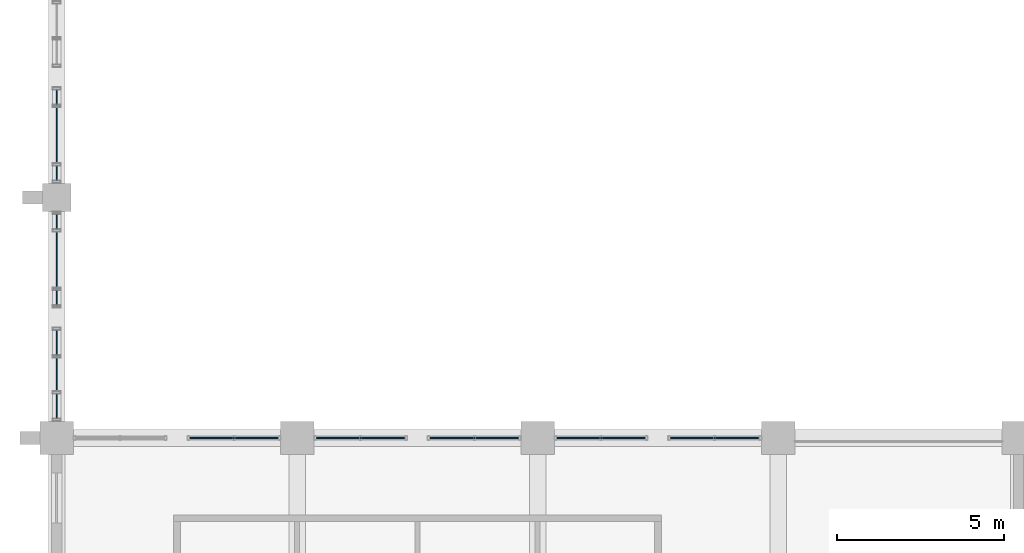
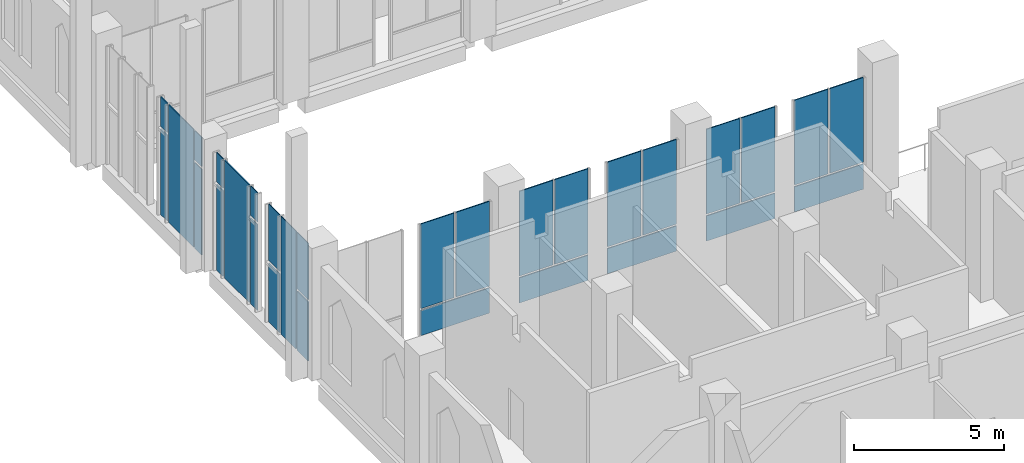
# One storey, part 60 of 83: 30 plates, 8 elements without a shape of their own.
"""IFC4 building model written with IfcOpenShell, lengths in metres."""

from ifc_helpers import new_model, si_unit, direction, frame, origin, origin_2d, place, context, subcontext, project, spatial, rectangle, extrude, material, layer, layer_set, type_object, element, aggregate, save


model = new_model("IFC4")

# Units and contexts
model_context = context("Model", 3, precision=1e-05, world=origin(), true_north=direction((0.0, 1.0)))
body_context = subcontext(model_context, "Body", "Model", "MODEL_VIEW")
ifc_project = project(units=[si_unit("LENGTHUNIT", "METRE"), si_unit("AREAUNIT", "SQUARE_METRE"), si_unit("VOLUMEUNIT", "CUBIC_METRE"), si_unit("PLANEANGLEUNIT", "RADIAN"), si_unit("MASSUNIT", "GRAM", prefix="KILO")], contexts=[model_context])

# Site, building, storey
site_placement = place(None, origin())
site = spatial("IfcSite", under=ifc_project, at=site_placement, CompositionType="ELEMENT")
building_placement = place(site_placement, origin())
building = spatial("IfcBuilding", under=site, at=building_placement, Name="Silangan Lancet Faculty of Sciences", CompositionType="ELEMENT")
storey_placement = place(building_placement, frame((0.0, 0.0, 11.39990234375)))
storey = spatial("IfcBuildingStorey", under=building, at=storey_placement, Name="L02", CompositionType="ELEMENT", Elevation=11.39990234375)

# Curtain wall, plates
ifc_material_1 = material(Name="Aluminium framed curtain wall with insulated glass", Category="aluminium")
curtain_wall_type_1 = type_object("IfcCurtainWallType", Name="CW3 West stepped lancet window", PredefinedType="NOTDEFINED", material=ifc_material_1)
curtain_wall_1_placement = place(storey_placement, origin())
curtain_wall_1 = element("IfcCurtainWall", 1, at=curtain_wall_1_placement, inside=storey, type_object=curtain_wall_type_1, Name="CW3 West window L02 bay 1", PredefinedType="NOTDEFINED")
ifc_material_2 = material(Name="Insulated glass unit 8+16+8 low-emissivity", Category="glass")
ifc_layer_1 = layer(ifc_material_2, 0.031982421875)
ifc_layer_set_1 = layer_set([ifc_layer_1], Name="Insulated glass unit 8+16+8 low-emissivity")
plate_type_1 = type_object("IfcPlateType", Name="CP1 Panel vision glass 32", PredefinedType="CURTAIN_PANEL", material=ifc_layer_set_1)
plate_1_placement = place(storey_placement, frame((0.0, 22.550048828125, 2.5), z_axis=(0.0, 0.0, 1.0), x_axis=(0.0, 1.0, 0.0)))
plate_1 = element("IfcPlate", 2, at=plate_1_placement, type_object=plate_type_1, Name="CW3 West window L02 bay 1 panel 3", PredefinedType="CURTAIN_PANEL", context=body_context, shape_type="SweptSolid", body=[
    extrude(rectangle(XDim=0.75, YDim=0.031982421875, at=origin_2d()), origin(), (0.0, 0.0, 1.0), 2.300048828125),
])
plate_2_placement = place(storey_placement, frame((0.0, 24.449951171875, 2.5), z_axis=(0.0, 0.0, 1.0), x_axis=(0.0, 1.0, 0.0)))
plate_2 = element("IfcPlate", 3, at=plate_2_placement, type_object=plate_type_1, Name="CW3 West window L02 bay 1 panel 4", PredefinedType="CURTAIN_PANEL", context=body_context, shape_type="SweptSolid", body=[
    extrude(rectangle(XDim=0.75, YDim=0.031982421875, at=origin_2d()), origin(), (0.0, 0.0, 1.0), 2.300048828125),
])

ifc_material_3 = material(Name="Aluminium framed curtain wall with insulated glass", Category="aluminium")
curtain_wall_type_2 = type_object("IfcCurtainWallType", Name="CW6 West window middle bays", PredefinedType="NOTDEFINED", material=ifc_material_3)
curtain_wall_2_placement = place(storey_placement, origin())
curtain_wall_2 = element("IfcCurtainWall", 4, at=curtain_wall_2_placement, inside=storey, type_object=curtain_wall_type_2, Name="CW6 West window L02 bay 2", PredefinedType="NOTDEFINED")
plate_3_placement = place(storey_placement, frame((0.0, 25.800048828125, 3.60009765625), z_axis=(0.0, 0.0, 1.0), x_axis=(0.0, 1.0, 0.0)))
plate_3 = element("IfcPlate", 5, at=plate_3_placement, type_object=plate_type_1, Name="CW6 West window L02 bay 2 panel 3", PredefinedType="CURTAIN_PANEL", context=body_context, shape_type="SweptSolid", body=[
    extrude(rectangle(XDim=0.449951171875, YDim=0.031982421875, at=origin_2d()), origin(), (0.0, 0.0, 1.0), 1.199951171875),
])
plate_4_placement = place(storey_placement, frame((0.0, 28.074951171875, 3.60009765625), z_axis=(0.0, 0.0, 1.0), x_axis=(0.0, 1.0, 0.0)))
plate_4 = element("IfcPlate", 6, at=plate_4_placement, type_object=plate_type_1, Name="CW6 West window L02 bay 2 panel 4", PredefinedType="CURTAIN_PANEL", context=body_context, shape_type="SweptSolid", body=[
    extrude(rectangle(XDim=0.449951171875, YDim=0.031982421875, at=origin_2d()), origin(), (0.0, 0.0, 1.0), 1.199951171875),
])

curtain_wall_3_placement = place(storey_placement, origin())
curtain_wall_3 = element("IfcCurtainWall", 7, at=curtain_wall_3_placement, inside=storey, type_object=curtain_wall_type_2, Name="CW6 West window L02 bay 3", PredefinedType="NOTDEFINED")
plate_5_placement = place(storey_placement, frame((0.0, 29.52490234375, 3.60009765625), z_axis=(0.0, 0.0, 1.0), x_axis=(0.0, 1.0, 0.0)))
plate_5 = element("IfcPlate", 8, at=plate_5_placement, type_object=plate_type_1, Name="CW6 West window L02 bay 3 panel 3", PredefinedType="CURTAIN_PANEL", context=body_context, shape_type="SweptSolid", body=[
    extrude(rectangle(XDim=0.449951171875, YDim=0.031982421875, at=origin_2d()), origin(), (0.0, 0.0, 1.0), 1.199951171875),
])
plate_6_placement = place(storey_placement, frame((0.0, 31.7998046875, 3.60009765625), z_axis=(0.0, 0.0, 1.0), x_axis=(0.0, 1.0, 0.0)))
plate_6 = element("IfcPlate", 9, at=plate_6_placement, type_object=plate_type_1, Name="CW6 West window L02 bay 3 panel 4", PredefinedType="CURTAIN_PANEL", context=body_context, shape_type="SweptSolid", body=[
    extrude(rectangle(XDim=0.449951171875, YDim=0.031982421875, at=origin_2d()), origin(), (0.0, 0.0, 1.0), 1.199951171875),
])

# Plate
ifc_material_4 = material(Name="Laminated insulated glass unit 10.76+14+8", Category="glass")
ifc_layer_2 = layer(ifc_material_4, 0.035888671875)
ifc_layer_set_2 = layer_set([ifc_layer_2], Name="Laminated insulated glass unit 10.76+14+8")
plate_type_2 = type_object("IfcPlateType", Name="CP2 Panel laminated glass 36", PredefinedType="CURTAIN_PANEL", material=ifc_layer_set_2)
plate_7_placement = place(storey_placement, frame((0.0, 22.550048828125, 0.000244140625), z_axis=(0.0, 0.0, 1.0), x_axis=(0.0, 1.0, 0.0)))
plate_7 = element("IfcPlate", 10, at=plate_7_placement, type_object=plate_type_2, Name="CW3 West window L02 bay 1 panel 1", PredefinedType="CURTAIN_PANEL", context=body_context, shape_type="SweptSolid", body=[
    extrude(rectangle(XDim=0.75, YDim=0.035888671875, at=origin_2d()), origin(), (0.0, 0.0, 1.0), 2.39990234375),
])

plate_8_placement = place(storey_placement, frame((0.0, 24.449951171875, 0.000244140625), z_axis=(0.0, 0.0, 1.0), x_axis=(0.0, 1.0, 0.0)))
plate_8 = element("IfcPlate", 11, at=plate_8_placement, type_object=plate_type_2, Name="CW3 West window L02 bay 1 panel 2", PredefinedType="CURTAIN_PANEL", context=body_context, shape_type="SweptSolid", body=[
    extrude(rectangle(XDim=0.75, YDim=0.035888671875, at=origin_2d()), origin(), (0.0, 0.0, 1.0), 2.39990234375),
])

plate_9_placement = place(storey_placement, frame((0.0, 23.5, 0.0), z_axis=(0.0, 0.0, 1.0), x_axis=(0.0, 1.0, 0.0)))
plate_9 = element("IfcPlate", 12, at=plate_9_placement, type_object=plate_type_2, Name="CW3 West window L02 bay 1 panel 5", PredefinedType="CURTAIN_PANEL", context=body_context, shape_type="SweptSolid", body=[
    extrude(rectangle(XDim=1.0, YDim=0.035888671875, at=origin_2d()), origin(), (0.0, 0.0, 1.0), 4.800048828125),
])

aggregate(curtain_wall_1, [plate_7, plate_8, plate_1, plate_2, plate_9])

plate_10_placement = place(storey_placement, frame((0.0, 25.800048828125, 0.0), z_axis=(0.0, 0.0, 1.0), x_axis=(0.0, 1.0, 0.0)))
plate_10 = element("IfcPlate", 13, at=plate_10_placement, type_object=plate_type_2, Name="CW6 West window L02 bay 2 panel 1", PredefinedType="CURTAIN_PANEL", context=body_context, shape_type="SweptSolid", body=[
    extrude(rectangle(XDim=0.449951171875, YDim=0.035888671875, at=origin_2d()), origin(), (0.0, 0.0, 1.0), 3.5),
])

plate_11_placement = place(storey_placement, frame((0.0, 28.074951171875, 0.0), z_axis=(0.0, 0.0, 1.0), x_axis=(0.0, 1.0, 0.0)))
plate_11 = element("IfcPlate", 14, at=plate_11_placement, type_object=plate_type_2, Name="CW6 West window L02 bay 2 panel 2", PredefinedType="CURTAIN_PANEL", context=body_context, shape_type="SweptSolid", body=[
    extrude(rectangle(XDim=0.449951171875, YDim=0.035888671875, at=origin_2d()), origin(), (0.0, 0.0, 1.0), 3.5),
])

plate_12_placement = place(storey_placement, frame((0.0, 26.9375, 0.0), z_axis=(0.0, 0.0, 1.0), x_axis=(0.0, 1.0, 0.0)))
plate_12 = element("IfcPlate", 15, at=plate_12_placement, type_object=plate_type_2, Name="CW6 West window L02 bay 2 panel 5", PredefinedType="CURTAIN_PANEL", context=body_context, shape_type="SweptSolid", body=[
    extrude(rectangle(XDim=1.675048828125, YDim=0.035888671875, at=origin_2d()), origin(), (0.0, 0.0, 1.0), 4.800048828125),
])

aggregate(curtain_wall_2, [plate_10, plate_11, plate_3, plate_4, plate_12])

plate_13_placement = place(storey_placement, frame((0.0, 29.52490234375, 0.0), z_axis=(0.0, 0.0, 1.0), x_axis=(0.0, 1.0, 0.0)))
plate_13 = element("IfcPlate", 16, at=plate_13_placement, type_object=plate_type_2, Name="CW6 West window L02 bay 3 panel 1", PredefinedType="CURTAIN_PANEL", context=body_context, shape_type="SweptSolid", body=[
    extrude(rectangle(XDim=0.449951171875, YDim=0.035888671875, at=origin_2d()), origin(), (0.0, 0.0, 1.0), 3.5),
])

plate_14_placement = place(storey_placement, frame((0.0, 31.7998046875, 0.0), z_axis=(0.0, 0.0, 1.0), x_axis=(0.0, 1.0, 0.0)))
plate_14 = element("IfcPlate", 17, at=plate_14_placement, type_object=plate_type_2, Name="CW6 West window L02 bay 3 panel 2", PredefinedType="CURTAIN_PANEL", context=body_context, shape_type="SweptSolid", body=[
    extrude(rectangle(XDim=0.449951171875, YDim=0.035888671875, at=origin_2d()), origin(), (0.0, 0.0, 1.0), 3.5),
])

plate_15_placement = place(storey_placement, frame((0.0, 30.662353515625, 0.0), z_axis=(0.0, 0.0, 1.0), x_axis=(0.0, 1.0, 0.0)))
plate_15 = element("IfcPlate", 18, at=plate_15_placement, type_object=plate_type_2, Name="CW6 West window L02 bay 3 panel 5", PredefinedType="CURTAIN_PANEL", context=body_context, shape_type="SweptSolid", body=[
    extrude(rectangle(XDim=1.6748046875, YDim=0.035888671875, at=origin_2d()), origin(), (0.0, 0.0, 1.0), 4.800048828125),
])

aggregate(curtain_wall_3, [plate_13, plate_14, plate_5, plate_6, plate_15])

# Curtain wall, plates
ifc_material_5 = material(Name="Aluminium framed curtain wall with insulated glass", Category="aluminium")
curtain_wall_type_3 = type_object("IfcCurtainWallType", Name="CW2 Atrium fire-resisting screen", PredefinedType="NOTDEFINED", material=ifc_material_5)
curtain_wall_4_placement = place(storey_placement, origin())
curtain_wall_4 = element("IfcCurtainWall", 19, at=curtain_wall_4_placement, inside=storey, type_object=curtain_wall_type_3, Name="CW2 Atrium south L02 bay 1", PredefinedType="NOTDEFINED")
ifc_material_6 = material(Name="Fire-resisting glass unit 40 mm, integrity E", Category="glass")
ifc_layer_3 = layer(ifc_material_6, 0.0400390625)
ifc_layer_set_3 = layer_set([ifc_layer_3], Name="Fire-resisting glass unit 40 mm, integrity E")
plate_type_3 = type_object("IfcPlateType", Name="CP3 Panel fire-resisting glass 40", PredefinedType="CURTAIN_PANEL", material=ifc_layer_set_3)
plate_16_placement = place(storey_placement, frame((19.699951171875, 21.60009765625, 0.000244140625), z_axis=(0.0, 0.0, 1.0), x_axis=(-1.0, 0.0, 0.0)))
plate_16 = element("IfcPlate", 20, at=plate_16_placement, type_object=plate_type_3, Name="CW2 Atrium south L02 bay 1 panel 1", PredefinedType="CURTAIN_PANEL", context=body_context, shape_type="SweptSolid", body=[
    extrude(rectangle(XDim=2.64990234375, YDim=0.0400390625, at=origin_2d()), origin(), (0.0, 0.0, 1.0), 1.02490234375),
])
plate_17_placement = place(storey_placement, frame((20.38134765625, 21.60009765625, 1.10009765625), z_axis=(0.0, 0.0, 1.0), x_axis=(-1.0, 0.0, 0.0)))
plate_17 = element("IfcPlate", 21, at=plate_17_placement, type_object=plate_type_3, Name="CW2 Atrium south L02 bay 1 panel 2", PredefinedType="CURTAIN_PANEL", context=body_context, shape_type="SweptSolid", body=[
    extrude(rectangle(XDim=1.28759765625, YDim=0.0400390625, at=origin_2d()), origin(), (0.0, 0.0, 1.0), 3.449951171875),
])
plate_18_placement = place(storey_placement, frame((19.018798828125, 21.60009765625, 1.10009765625), z_axis=(0.0, 0.0, 1.0), x_axis=(-1.0, 0.0, 0.0)))
plate_18 = element("IfcPlate", 22, at=plate_18_placement, type_object=plate_type_3, Name="CW2 Atrium south L02 bay 1 panel 3", PredefinedType="CURTAIN_PANEL", context=body_context, shape_type="SweptSolid", body=[
    extrude(rectangle(XDim=1.28759765625, YDim=0.0400390625, at=origin_2d()), origin(), (0.0, 0.0, 1.0), 3.449951171875),
])
aggregate(curtain_wall_4, [plate_16, plate_17, plate_18])

curtain_wall_5_placement = place(storey_placement, origin())
curtain_wall_5 = element("IfcCurtainWall", 23, at=curtain_wall_5_placement, inside=storey, type_object=curtain_wall_type_3, Name="CW2 Atrium south L02 bay 2", PredefinedType="NOTDEFINED")
plate_19_placement = place(storey_placement, frame((16.300048828125, 21.60009765625, 0.000244140625), z_axis=(0.0, 0.0, 1.0), x_axis=(-1.0, 0.0, 0.0)))
plate_19 = element("IfcPlate", 24, at=plate_19_placement, type_object=plate_type_3, Name="CW2 Atrium south L02 bay 2 panel 1", PredefinedType="CURTAIN_PANEL", context=body_context, shape_type="SweptSolid", body=[
    extrude(rectangle(XDim=2.64990234375, YDim=0.0400390625, at=origin_2d()), origin(), (0.0, 0.0, 1.0), 1.02490234375),
])
plate_20_placement = place(storey_placement, frame((16.981201171875, 21.60009765625, 1.10009765625), z_axis=(0.0, 0.0, 1.0), x_axis=(-1.0, 0.0, 0.0)))
plate_20 = element("IfcPlate", 25, at=plate_20_placement, type_object=plate_type_3, Name="CW2 Atrium south L02 bay 2 panel 2", PredefinedType="CURTAIN_PANEL", context=body_context, shape_type="SweptSolid", body=[
    extrude(rectangle(XDim=1.28759765625, YDim=0.0400390625, at=origin_2d()), origin(), (0.0, 0.0, 1.0), 3.449951171875),
])
plate_21_placement = place(storey_placement, frame((15.61865234375, 21.60009765625, 1.10009765625), z_axis=(0.0, 0.0, 1.0), x_axis=(-1.0, 0.0, 0.0)))
plate_21 = element("IfcPlate", 26, at=plate_21_placement, type_object=plate_type_3, Name="CW2 Atrium south L02 bay 2 panel 3", PredefinedType="CURTAIN_PANEL", context=body_context, shape_type="SweptSolid", body=[
    extrude(rectangle(XDim=1.28759765625, YDim=0.0400390625, at=origin_2d()), origin(), (0.0, 0.0, 1.0), 3.449951171875),
])
aggregate(curtain_wall_5, [plate_19, plate_20, plate_21])

curtain_wall_6_placement = place(storey_placement, origin())
curtain_wall_6 = element("IfcCurtainWall", 27, at=curtain_wall_6_placement, inside=storey, type_object=curtain_wall_type_3, Name="CW2 Atrium south L02 bay 3", PredefinedType="NOTDEFINED")
plate_22_placement = place(storey_placement, frame((12.5, 21.60009765625, 0.000244140625), z_axis=(0.0, 0.0, 1.0), x_axis=(-1.0, 0.0, 0.0)))
plate_22 = element("IfcPlate", 28, at=plate_22_placement, type_object=plate_type_3, Name="CW2 Atrium south L02 bay 3 panel 1", PredefinedType="CURTAIN_PANEL", context=body_context, shape_type="SweptSolid", body=[
    extrude(rectangle(XDim=2.64990234375, YDim=0.0400390625, at=origin_2d()), origin(), (0.0, 0.0, 1.0), 1.02490234375),
])
plate_23_placement = place(storey_placement, frame((13.18115234375, 21.60009765625, 1.10009765625), z_axis=(0.0, 0.0, 1.0), x_axis=(-1.0, 0.0, 0.0)))
plate_23 = element("IfcPlate", 29, at=plate_23_placement, type_object=plate_type_3, Name="CW2 Atrium south L02 bay 3 panel 2", PredefinedType="CURTAIN_PANEL", context=body_context, shape_type="SweptSolid", body=[
    extrude(rectangle(XDim=1.28759765625, YDim=0.0400390625, at=origin_2d()), origin(), (0.0, 0.0, 1.0), 3.449951171875),
])
plate_24_placement = place(storey_placement, frame((11.81884765625, 21.60009765625, 1.10009765625), z_axis=(0.0, 0.0, 1.0), x_axis=(-1.0, 0.0, 0.0)))
plate_24 = element("IfcPlate", 30, at=plate_24_placement, type_object=plate_type_3, Name="CW2 Atrium south L02 bay 3 panel 3", PredefinedType="CURTAIN_PANEL", context=body_context, shape_type="SweptSolid", body=[
    extrude(rectangle(XDim=1.28759765625, YDim=0.0400390625, at=origin_2d()), origin(), (0.0, 0.0, 1.0), 3.449951171875),
])
aggregate(curtain_wall_6, [plate_22, plate_23, plate_24])

curtain_wall_7_placement = place(storey_placement, origin())
curtain_wall_7 = element("IfcCurtainWall", 31, at=curtain_wall_7_placement, inside=storey, type_object=curtain_wall_type_3, Name="CW2 Atrium south L02 bay 4", PredefinedType="NOTDEFINED")
plate_25_placement = place(storey_placement, frame((9.10009765625, 21.60009765625, 0.000244140625), z_axis=(0.0, 0.0, 1.0), x_axis=(-1.0, 0.0, 0.0)))
plate_25 = element("IfcPlate", 32, at=plate_25_placement, type_object=plate_type_3, Name="CW2 Atrium south L02 bay 4 panel 1", PredefinedType="CURTAIN_PANEL", context=body_context, shape_type="SweptSolid", body=[
    extrude(rectangle(XDim=2.64990234375, YDim=0.0400390625, at=origin_2d()), origin(), (0.0, 0.0, 1.0), 1.02490234375),
])
plate_26_placement = place(storey_placement, frame((9.78125, 21.60009765625, 1.10009765625), z_axis=(0.0, 0.0, 1.0), x_axis=(-1.0, 0.0, 0.0)))
plate_26 = element("IfcPlate", 33, at=plate_26_placement, type_object=plate_type_3, Name="CW2 Atrium south L02 bay 4 panel 2", PredefinedType="CURTAIN_PANEL", context=body_context, shape_type="SweptSolid", body=[
    extrude(rectangle(XDim=1.28759765625, YDim=0.0400390625, at=origin_2d()), origin(), (0.0, 0.0, 1.0), 3.449951171875),
])
plate_27_placement = place(storey_placement, frame((8.418701171875, 21.60009765625, 1.10009765625), z_axis=(0.0, 0.0, 1.0), x_axis=(-1.0, 0.0, 0.0)))
plate_27 = element("IfcPlate", 34, at=plate_27_placement, type_object=plate_type_3, Name="CW2 Atrium south L02 bay 4 panel 3", PredefinedType="CURTAIN_PANEL", context=body_context, shape_type="SweptSolid", body=[
    extrude(rectangle(XDim=1.28759765625, YDim=0.0400390625, at=origin_2d()), origin(), (0.0, 0.0, 1.0), 3.449951171875),
])
aggregate(curtain_wall_7, [plate_25, plate_26, plate_27])

curtain_wall_8_placement = place(storey_placement, origin())
curtain_wall_8 = element("IfcCurtainWall", 35, at=curtain_wall_8_placement, inside=storey, type_object=curtain_wall_type_3, Name="CW2 Atrium south L02 bay 5", PredefinedType="NOTDEFINED")
plate_28_placement = place(storey_placement, frame((5.300048828125, 21.60009765625, 0.000244140625), z_axis=(0.0, 0.0, 1.0), x_axis=(-1.0, 0.0, 0.0)))
plate_28 = element("IfcPlate", 36, at=plate_28_placement, type_object=plate_type_3, Name="CW2 Atrium south L02 bay 5 panel 1", PredefinedType="CURTAIN_PANEL", context=body_context, shape_type="SweptSolid", body=[
    extrude(rectangle(XDim=2.64990234375, YDim=0.0400390625, at=origin_2d()), origin(), (0.0, 0.0, 1.0), 1.02490234375),
])
plate_29_placement = place(storey_placement, frame((5.981201171875, 21.60009765625, 1.10009765625), z_axis=(0.0, 0.0, 1.0), x_axis=(-1.0, 0.0, 0.0)))
plate_29 = element("IfcPlate", 37, at=plate_29_placement, type_object=plate_type_3, Name="CW2 Atrium south L02 bay 5 panel 2", PredefinedType="CURTAIN_PANEL", context=body_context, shape_type="SweptSolid", body=[
    extrude(rectangle(XDim=1.287353515625, YDim=0.0400390625, at=origin_2d()), origin(), (0.0, 0.0, 1.0), 3.449951171875),
])
plate_30_placement = place(storey_placement, frame((4.618896484375, 21.60009765625, 1.10009765625), z_axis=(0.0, 0.0, 1.0), x_axis=(-1.0, 0.0, 0.0)))
plate_30 = element("IfcPlate", 38, at=plate_30_placement, type_object=plate_type_3, Name="CW2 Atrium south L02 bay 5 panel 3", PredefinedType="CURTAIN_PANEL", context=body_context, shape_type="SweptSolid", body=[
    extrude(rectangle(XDim=1.287353515625, YDim=0.0400390625, at=origin_2d()), origin(), (0.0, 0.0, 1.0), 3.449951171875),
])
aggregate(curtain_wall_8, [plate_28, plate_29, plate_30])

save(model, "model.ifc")
